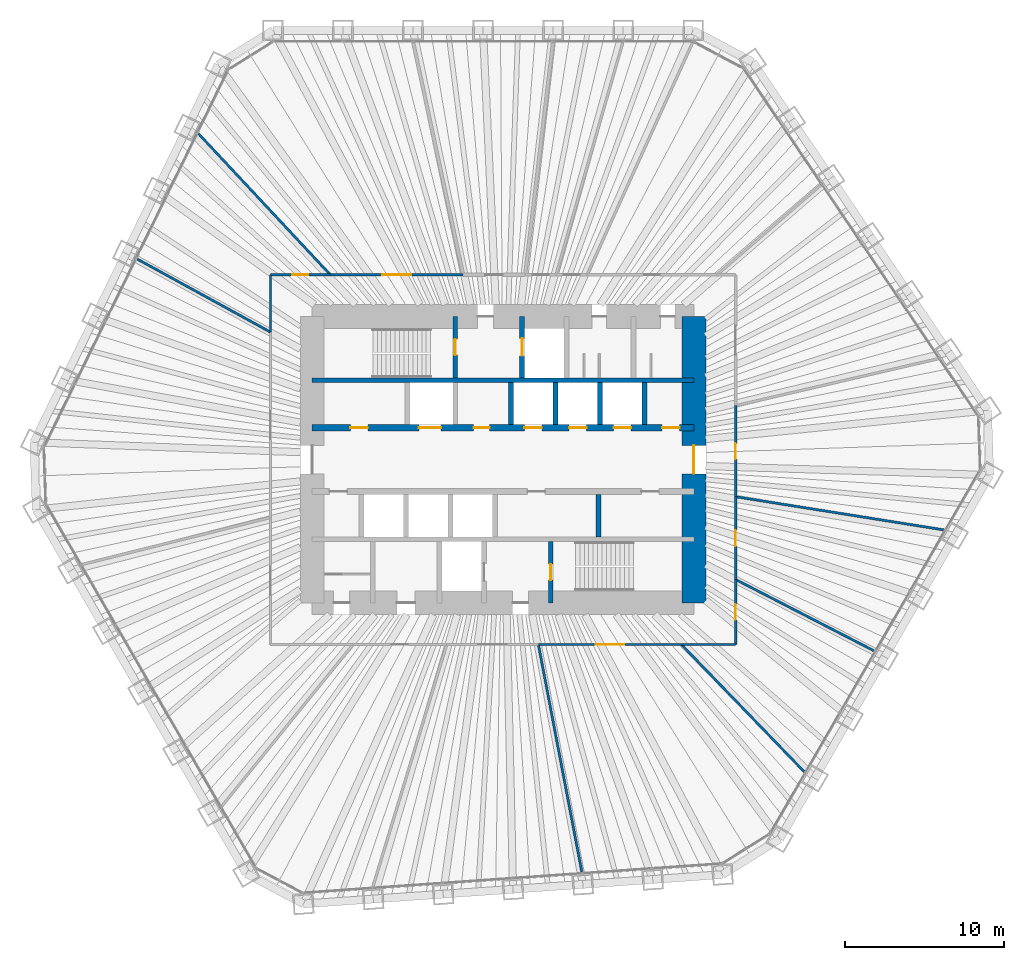
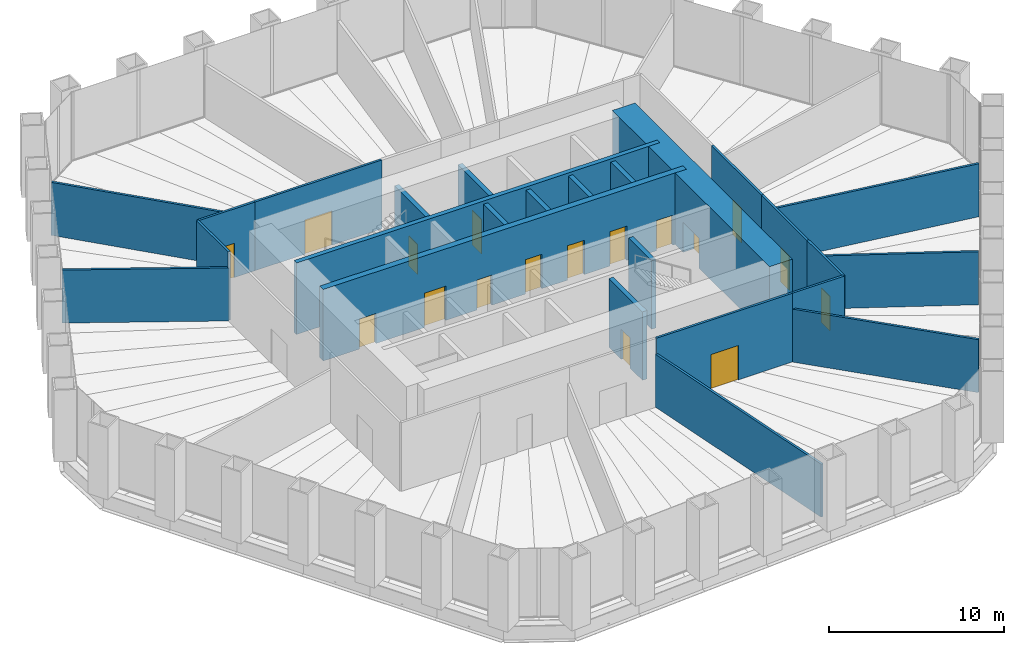
# One storey, part 11 of 13: 25 walls, 17 doors, 17 openings.
"""IFC4 building model written with IfcOpenShell, lengths in metres."""

from ifc_helpers import new_model, si_unit, direction, frame, frame_2d, origin, place, context, subcontext, project, spatial, rectangle, extrude, material, layer, layer_set, type_object, element, fill, save


model = new_model("IFC4")

# Units and contexts
model_context = context("Model", 3, precision=1e-05, world=origin(), true_north=direction((0.0, 1.0)))
body_context = subcontext(model_context, "Body", "Model", "MODEL_VIEW")
ifc_project = project(units=[si_unit("LENGTHUNIT", "METRE"), si_unit("AREAUNIT", "SQUARE_METRE"), si_unit("VOLUMEUNIT", "CUBIC_METRE"), si_unit("PLANEANGLEUNIT", "RADIAN"), si_unit("MASSUNIT", "GRAM", prefix="KILO")], contexts=[model_context])

# Site, building, storey
site_placement = place(None, origin())
site = spatial("IfcSite", under=ifc_project, at=site_placement, CompositionType="ELEMENT")
building_placement = place(site_placement, origin())
building = spatial("IfcBuilding", under=site, at=building_placement, Name="Qingtian Harvest Tower", CompositionType="ELEMENT")
storey_placement = place(building_placement, frame((0.0, 0.0, 72.0)))
storey = spatial("IfcBuildingStorey", under=building, at=storey_placement, Name="L14", CompositionType="ELEMENT", Elevation=72.0)

# Wall
ifc_material_1 = material(Name="Concrete fc' 70 MPa", Category="concrete")
ifc_layer_1 = layer(ifc_material_1, 0.300048828125)
ifc_layer_set_1 = layer_set([ifc_layer_1], Name="Core inner wall RC5 300")
wall_type_1 = type_object("IfcWallType", Name="Core inner wall RC5 300", PredefinedType="SHEAR", material=ifc_layer_set_1)
wall_1_placement = place(storey_placement, frame((-12.0, 5.0, 0.0), z_axis=(0.0, 0.0, 1.0), x_axis=(1.0, 0.0, 0.0)))
element("IfcWall", 1, at=wall_1_placement, inside=storey, type_object=wall_type_1, Name="Core wall IN5 L14", PredefinedType="SHEAR", context=body_context, shape_type="SweptSolid", body=[
    extrude(rectangle(XDim=24.0, YDim=0.300048828125, at=frame_2d((12.0, 0.0))), origin(), (0.0, 0.0, 1.0), 5.0),
])

# Wall, openings, doors
ifc_material_2 = material(Name="Concrete fc' 70 MPa", Category="concrete")
ifc_layer_2 = layer(ifc_material_2, 0.39990234375)
ifc_layer_set_2 = layer_set([ifc_layer_2], Name="Core inner web RC6 400")
wall_type_2 = type_object("IfcWallType", Name="Core inner web RC6 400", PredefinedType="SHEAR", material=ifc_layer_set_2)
wall_2_placement = place(storey_placement, frame((-12.0, 2.0, 0.0), z_axis=(0.0, 0.0, 1.0), x_axis=(1.0, 0.0, 0.0)))
wall_2 = element("IfcWall", 2, at=wall_2_placement, inside=storey, type_object=wall_type_2, Name="Core wall IN2 L14", PredefinedType="SHEAR", context=body_context, shape_type="SweptSolid", body=[
    extrude(rectangle(XDim=24.0, YDim=0.39990234375, at=frame_2d((12.0, 0.0))), origin(), (0.0, 0.0, 1.0), 5.0),
])
opening_1_placement = place(wall_2_placement, frame((2.39990234375, 0.0, 0.0)))
opening_1 = element("IfcOpeningElement", 3, at=opening_1_placement, cuts=wall_2, Name="Opening FD4", PredefinedType="OPENING", context=body_context, shape_type="SweptSolid", body=[
    extrude(rectangle(XDim=1.10009765625, YDim=2.10009765625, at=frame_2d((0.550048828125, 1.050048828125))), frame((0.0, 0.2099609375, 0.0), z_axis=(0.0, -1.0, 0.0), x_axis=(1.0, 0.0, 0.0)), (0.0, 0.0, 1.0), 0.419921875),
])
opening_2_placement = place(wall_2_placement, frame((22.0, 0.0, 0.0)))
opening_2 = element("IfcOpeningElement", 4, at=opening_2_placement, cuts=wall_2, Name="Opening FD4", PredefinedType="OPENING", context=body_context, shape_type="SweptSolid", body=[
    extrude(rectangle(XDim=1.10009765625, YDim=2.10009765625, at=frame_2d((0.550048828125, 1.050048828125))), frame((0.0, 0.2099609375, 0.0), z_axis=(0.0, -1.0, 0.0), x_axis=(1.0, 0.0, 0.0)), (0.0, 0.0, 1.0), 0.419921875),
])
opening_3_placement = place(wall_2_placement, frame((10.14990234375, 0.0, 0.0)))
opening_3 = element("IfcOpeningElement", 5, at=opening_3_placement, cuts=wall_2, Name="Opening FD1", PredefinedType="OPENING", context=body_context, shape_type="SweptSolid", body=[
    extrude(rectangle(XDim=1.0, YDim=2.10009765625, at=frame_2d((0.5, 1.050048828125))), frame((0.0, 0.2099609375, 0.0), z_axis=(0.0, -1.0, 0.0), x_axis=(1.0, 0.0, 0.0)), (0.0, 0.0, 1.0), 0.419921875),
])
opening_4_placement = place(wall_2_placement, frame((6.699951171875, 0.0, 0.0)))
opening_4 = element("IfcOpeningElement", 6, at=opening_4_placement, cuts=wall_2, Name="Opening LD2", PredefinedType="OPENING", context=body_context, shape_type="SweptSolid", body=[
    extrude(rectangle(XDim=1.39990234375, YDim=2.39990234375, at=frame_2d((0.699951171875, 1.199951171875))), frame((0.0, 0.2099609375, 0.0), z_axis=(0.0, -1.0, 0.0), x_axis=(1.0, 0.0, 0.0)), (0.0, 0.0, 1.0), 0.419921875),
])
opening_5_placement = place(wall_2_placement, frame((13.35009765625, 0.0, 0.0)))
opening_5 = element("IfcOpeningElement", 7, at=opening_5_placement, cuts=wall_2, Name="Opening LD1", PredefinedType="OPENING", context=body_context, shape_type="SweptSolid", body=[
    extrude(rectangle(XDim=1.10009765625, YDim=2.39990234375, at=frame_2d((0.550048828125, 1.199951171875))), frame((0.0, 0.2099609375, 0.0), z_axis=(0.0, -1.0, 0.0), x_axis=(1.0, 0.0, 0.0)), (0.0, 0.0, 1.0), 0.419921875),
])
opening_6_placement = place(wall_2_placement, frame((16.14990234375, 0.0, 0.0)))
opening_6 = element("IfcOpeningElement", 8, at=opening_6_placement, cuts=wall_2, Name="Opening LD1", PredefinedType="OPENING", context=body_context, shape_type="SweptSolid", body=[
    extrude(rectangle(XDim=1.10009765625, YDim=2.39990234375, at=frame_2d((0.550048828125, 1.199951171875))), frame((0.0, 0.2099609375, 0.0), z_axis=(0.0, -1.0, 0.0), x_axis=(1.0, 0.0, 0.0)), (0.0, 0.0, 1.0), 0.419921875),
])
opening_7_placement = place(wall_2_placement, frame((18.949951171875, 0.0, 0.0)))
opening_7 = element("IfcOpeningElement", 9, at=opening_7_placement, cuts=wall_2, Name="Opening LD1", PredefinedType="OPENING", context=body_context, shape_type="SweptSolid", body=[
    extrude(rectangle(XDim=1.10009765625, YDim=2.39990234375, at=frame_2d((0.550048828125, 1.199951171875))), frame((0.0, 0.2099609375, 0.0), z_axis=(0.0, -1.0, 0.0), x_axis=(1.0, 0.0, 0.0)), (0.0, 0.0, 1.0), 0.419921875),
])
ifc_material_3 = material(Name="Steel-faced door leaf", Category="steel")
door_type_1 = type_object("IfcDoorType", Name="Fire door FD1 single 1 HR", OperationType="SINGLE_SWING_LEFT", PredefinedType="DOOR", material=ifc_material_3)
door_1_placement = place(opening_3_placement, origin())
door_1 = element("IfcDoor", 10, at=door_1_placement, inside=storey, type_object=door_type_1, Name="STA door L14", OperationType="SINGLE_SWING_LEFT", OverallHeight=2.10009765625, OverallWidth=1.0, PredefinedType="DOOR", context=body_context, shape_type="SweptSolid", body=[
    extrude(rectangle(XDim=1.0, YDim=2.10009765625, at=frame_2d((0.5, 1.050048828125))), frame((0.0, 0.02490234375, 0.0), z_axis=(0.0, -1.0, 0.0), x_axis=(1.0, 0.0, 0.0)), (0.0, 0.0, 1.0), 0.050048828125),
])
fill(opening_3, door_1)
ifc_material_4 = material(Name="Steel-faced door leaf", Category="steel")
door_type_2 = type_object("IfcDoorType", Name="Fire door FD4 single 2 HR", OperationType="SINGLE_SWING_LEFT", PredefinedType="DOOR", material=ifc_material_4)
door_2_placement = place(opening_1_placement, origin())
door_2 = element("IfcDoor", 11, at=door_2_placement, inside=storey, type_object=door_type_2, Name="RA door L14", OperationType="SINGLE_SWING_LEFT", OverallHeight=2.10009765625, OverallWidth=1.10009765625, PredefinedType="DOOR", context=body_context, shape_type="SweptSolid", body=[
    extrude(rectangle(XDim=1.10009765625, YDim=2.10009765625, at=frame_2d((0.550048828125, 1.050048828125))), frame((0.0, 0.02490234375, 0.0), z_axis=(0.0, -1.0, 0.0), x_axis=(1.0, 0.0, 0.0)), (0.0, 0.0, 1.0), 0.050048828125),
])
fill(opening_1, door_2)
door_3_placement = place(opening_2_placement, origin())
door_3 = element("IfcDoor", 12, at=door_3_placement, inside=storey, type_object=door_type_2, Name="AHU door L14", OperationType="SINGLE_SWING_RIGHT", OverallHeight=2.10009765625, OverallWidth=1.10009765625, PredefinedType="DOOR", context=body_context, shape_type="SweptSolid", body=[
    extrude(rectangle(XDim=1.10009765625, YDim=2.10009765625, at=frame_2d((0.550048828125, 1.050048828125))), frame((0.0, 0.02490234375, 0.0), z_axis=(0.0, -1.0, 0.0), x_axis=(1.0, 0.0, 0.0)), (0.0, 0.0, 1.0), 0.050048828125),
])
fill(opening_2, door_3)
ifc_material_5 = material(Name="Stainless steel lift landing door", Category="steel")
door_type_3 = type_object("IfcDoorType", Name="Goods lift landing door LD2 1 HR", OperationType="DOUBLE_DOOR_SLIDING", PredefinedType="DOOR", material=ifc_material_5)
door_4_placement = place(opening_4_placement, origin())
door_4 = element("IfcDoor", 13, at=door_4_placement, inside=storey, type_object=door_type_3, Name="GL1 landing door L14", OperationType="DOUBLE_DOOR_SLIDING", OverallHeight=2.39990234375, OverallWidth=1.39990234375, PredefinedType="DOOR", context=body_context, shape_type="SweptSolid", body=[
    extrude(rectangle(XDim=1.39990234375, YDim=2.39990234375, at=frame_2d((0.699951171875, 1.199951171875))), frame((0.0, 0.02490234375, 0.0), z_axis=(0.0, -1.0, 0.0), x_axis=(1.0, 0.0, 0.0)), (0.0, 0.0, 1.0), 0.050048828125),
])
fill(opening_4, door_4)
ifc_material_6 = material(Name="Stainless steel lift landing door", Category="steel")
door_type_4 = type_object("IfcDoorType", Name="Lift landing door LD1 1 HR", OperationType="DOUBLE_DOOR_SLIDING", PredefinedType="DOOR", material=ifc_material_6)
door_5_placement = place(opening_5_placement, origin())
door_5 = element("IfcDoor", 14, at=door_5_placement, inside=storey, type_object=door_type_4, Name="PLA1 landing door L14", OperationType="DOUBLE_DOOR_SLIDING", OverallHeight=2.39990234375, OverallWidth=1.10009765625, PredefinedType="DOOR", context=body_context, shape_type="SweptSolid", body=[
    extrude(rectangle(XDim=1.10009765625, YDim=2.39990234375, at=frame_2d((0.550048828125, 1.199951171875))), frame((0.0, 0.02490234375, 0.0), z_axis=(0.0, -1.0, 0.0), x_axis=(1.0, 0.0, 0.0)), (0.0, 0.0, 1.0), 0.050048828125),
])
fill(opening_5, door_5)
door_6_placement = place(opening_6_placement, origin())
door_6 = element("IfcDoor", 15, at=door_6_placement, inside=storey, type_object=door_type_4, Name="PLA2 landing door L14", OperationType="DOUBLE_DOOR_SLIDING", OverallHeight=2.39990234375, OverallWidth=1.10009765625, PredefinedType="DOOR", context=body_context, shape_type="SweptSolid", body=[
    extrude(rectangle(XDim=1.10009765625, YDim=2.39990234375, at=frame_2d((0.550048828125, 1.199951171875))), frame((0.0, 0.02490234375, 0.0), z_axis=(0.0, -1.0, 0.0), x_axis=(1.0, 0.0, 0.0)), (0.0, 0.0, 1.0), 0.050048828125),
])
fill(opening_6, door_6)
door_7_placement = place(opening_7_placement, origin())
door_7 = element("IfcDoor", 16, at=door_7_placement, inside=storey, type_object=door_type_4, Name="PLA3 landing door L14", OperationType="DOUBLE_DOOR_SLIDING", OverallHeight=2.39990234375, OverallWidth=1.10009765625, PredefinedType="DOOR", context=body_context, shape_type="SweptSolid", body=[
    extrude(rectangle(XDim=1.10009765625, YDim=2.39990234375, at=frame_2d((0.550048828125, 1.199951171875))), frame((0.0, 0.02490234375, 0.0), z_axis=(0.0, -1.0, 0.0), x_axis=(1.0, 0.0, 0.0)), (0.0, 0.0, 1.0), 0.050048828125),
])
fill(opening_7, door_7)

# Wall, opening, door
ifc_material_7 = material(Name="Precast concrete shaft panel", Category="concrete")
ifc_layer_3 = layer(ifc_material_7, 0.300048828125)
ifc_layer_set_3 = layer_set([ifc_layer_3], Name="Core shaft partition SW1 300")
wall_type_3 = type_object("IfcWallType", Name="Core shaft partition SW1 300", PredefinedType="PARTITIONING", material=ifc_layer_set_3)
wall_3_placement = place(storey_placement, frame((-3.0, 5.14990234375, 0.0), z_axis=(0.0, 0.0, 1.0), x_axis=(0.0, 1.0, 0.0)))
wall_3 = element("IfcWall", 17, at=wall_3_placement, inside=storey, type_object=wall_type_3, Name="Core shaft partition XN1 L14", PredefinedType="PARTITIONING", context=body_context, shape_type="SweptSolid", body=[
    extrude(rectangle(XDim=3.85009765625, YDim=0.300048828125, at=frame_2d((1.925048828125, 0.0))), origin(), (0.0, 0.0, 1.0), 4.780029296875),
])
opening_8_placement = place(wall_3_placement, frame((1.425048828125, 0.0, 0.0)))
opening_8 = element("IfcOpeningElement", 18, at=opening_8_placement, cuts=wall_3, Name="Opening FD1", PredefinedType="OPENING", context=body_context, shape_type="SweptSolid", body=[
    extrude(rectangle(XDim=1.0, YDim=2.10009765625, at=frame_2d((0.5, 1.050048828125))), frame((0.0, 0.159912109375, 0.0), z_axis=(0.0, -1.0, 0.0), x_axis=(1.0, 0.0, 0.0)), (0.0, 0.0, 1.0), 0.320068359375),
])
door_8_placement = place(opening_8_placement, origin())
door_8 = element("IfcDoor", 19, at=door_8_placement, inside=storey, type_object=door_type_1, Name="S1 door L14", OperationType="SINGLE_SWING_RIGHT", OverallHeight=2.10009765625, OverallWidth=1.0, PredefinedType="DOOR", context=body_context, shape_type="SweptSolid", body=[
    extrude(rectangle(XDim=1.0, YDim=2.10009765625, at=frame_2d((0.5, 1.050048828125))), frame((0.0, 0.02490234375, 0.0), z_axis=(0.0, -1.0, 0.0), x_axis=(1.0, 0.0, 0.0)), (0.0, 0.0, 1.0), 0.050048828125),
])
fill(opening_8, door_8)

wall_4_placement = place(storey_placement, frame((1.199951171875, 5.14990234375, 0.0), z_axis=(0.0, 0.0, 1.0), x_axis=(0.0, 1.0, 0.0)))
wall_4 = element("IfcWall", 20, at=wall_4_placement, inside=storey, type_object=wall_type_3, Name="Core shaft partition XN2 L14", PredefinedType="PARTITIONING", context=body_context, shape_type="SweptSolid", body=[
    extrude(rectangle(XDim=3.85009765625, YDim=0.300048828125, at=frame_2d((1.925048828125, 0.0))), origin(), (0.0, 0.0, 1.0), 4.780029296875),
])
opening_9_placement = place(wall_4_placement, frame((1.375, 0.0, 0.0)))
opening_9 = element("IfcOpeningElement", 21, at=opening_9_placement, cuts=wall_4, Name="Opening LD1", PredefinedType="OPENING", context=body_context, shape_type="SweptSolid", body=[
    extrude(rectangle(XDim=1.10009765625, YDim=2.39990234375, at=frame_2d((0.550048828125, 1.199951171875))), frame((0.0, 0.159912109375, 0.0), z_axis=(0.0, -1.0, 0.0), x_axis=(1.0, 0.0, 0.0)), (0.0, 0.0, 1.0), 0.320068359375),
])
door_9_placement = place(opening_9_placement, origin())
door_9 = element("IfcDoor", 22, at=door_9_placement, inside=storey, type_object=door_type_4, Name="FL1 landing door L14", OperationType="DOUBLE_DOOR_SLIDING", OverallHeight=2.39990234375, OverallWidth=1.10009765625, PredefinedType="DOOR", context=body_context, shape_type="SweptSolid", body=[
    extrude(rectangle(XDim=1.10009765625, YDim=2.39990234375, at=frame_2d((0.550048828125, 1.199951171875))), frame((0.0, 0.02490234375, 0.0), z_axis=(0.0, -1.0, 0.0), x_axis=(1.0, 0.0, 0.0)), (0.0, 0.0, 1.0), 0.050048828125),
])
fill(opening_9, door_9)

# Walls
for number, where, z_axis, x_axis, name in (
    (23, (0.5, 2.199951171875, 0.0), (0.0, 0.0, 1.0), (0.0, 1.0, 0.0), "Core shaft partition XA3 L14"),
    (24, (3.300048828125, 2.199951171875, 0.0), (0.0, 0.0, 1.0), (0.0, 1.0, 0.0), "Core shaft partition XA4 L14"),
    (25, (6.10009765625, 2.199951171875, 0.0), (0.0, 0.0, 1.0), (0.0, 1.0, 0.0), "Core shaft partition XA5 L14"),
    (26, (8.89990234375, 2.199951171875, 0.0), (0.0, 0.0, 1.0), (0.0, 1.0, 0.0), "Core shaft partition XA6 L14"),
    (27, (6.0, -4.85009765625, 0.0), (0.0, 0.0, 1.0), (0.0, 1.0, 0.0), "Core shaft partition XB5 L14"),
):
    element("IfcWall", number, at=place(storey_placement, frame(where, z_axis=z_axis, x_axis=x_axis)), inside=storey, type_object=wall_type_3, Name=name, PredefinedType="PARTITIONING", context=body_context, shape_type="SweptSolid", body=[
        extrude(rectangle(XDim=2.650146484375, YDim=0.300048828125, at=frame_2d((1.3251953125, 0.0))), origin(), (0.0, 0.0, 1.0), 4.780029296875),
    ])

# Wall, opening, door
wall_5_placement = place(storey_placement, frame((3.0, -9.0, 0.0), z_axis=(0.0, 0.0, 1.0), x_axis=(0.0, 1.0, 0.0)))
wall_5 = element("IfcWall", 28, at=wall_5_placement, inside=storey, type_object=wall_type_3, Name="Core shaft partition XS4 L14", PredefinedType="PARTITIONING", context=body_context, shape_type="SweptSolid", body=[
    extrude(rectangle(XDim=3.85009765625, YDim=0.300048828125, at=frame_2d((1.925048828125, 0.0))), origin(), (0.0, 0.0, 1.0), 4.780029296875),
])
opening_10_placement = place(wall_5_placement, frame((1.425048828125, 0.0, 0.0)))
opening_10 = element("IfcOpeningElement", 29, at=opening_10_placement, cuts=wall_5, Name="Opening FD1", PredefinedType="OPENING", context=body_context, shape_type="SweptSolid", body=[
    extrude(rectangle(XDim=1.0, YDim=2.10009765625, at=frame_2d((0.5, 1.050048828125))), frame((0.0, 0.159912109375, 0.0), z_axis=(0.0, -1.0, 0.0), x_axis=(1.0, 0.0, 0.0)), (0.0, 0.0, 1.0), 0.320068359375),
])
door_10_placement = place(opening_10_placement, origin())
door_10 = element("IfcDoor", 30, at=door_10_placement, inside=storey, type_object=door_type_1, Name="S2 door L14", OperationType="SINGLE_SWING_LEFT", OverallHeight=2.10009765625, OverallWidth=1.0, PredefinedType="DOOR", context=body_context, shape_type="SweptSolid", body=[
    extrude(rectangle(XDim=1.0, YDim=2.10009765625, at=frame_2d((0.5, 1.050048828125))), frame((0.0, 0.02490234375, 0.0), z_axis=(0.0, -1.0, 0.0), x_axis=(1.0, 0.0, 0.0)), (0.0, 0.0, 1.0), 0.050048828125),
])
fill(opening_10, door_10)

ifc_material_8 = material(Name="Concrete fc' 70 MPa", Category="concrete")
ifc_layer_4 = layer(ifc_material_8, 1.5)
ifc_layer_set_4 = layer_set([ifc_layer_4], Name="Core wall RC1 1500")
wall_type_4 = type_object("IfcWallType", Name="Core wall RC1 1500", PredefinedType="SHEAR", material=ifc_layer_set_4)
wall_6_placement = place(storey_placement, frame((12.0, -9.0, 0.0), z_axis=(0.0, 0.0, 1.0), x_axis=(0.0, 1.0, 0.0)))
wall_6 = element("IfcWall", 31, at=wall_6_placement, inside=storey, type_object=wall_type_4, Name="Core wall CE L14", PredefinedType="SHEAR", context=body_context, shape_type="SweptSolid", body=[
    extrude(rectangle(XDim=18.0, YDim=1.5, at=frame_2d((9.0, 0.0))), origin(), (0.0, 0.0, 1.0), 5.0),
])
opening_11_placement = place(wall_6_placement, frame((8.10009765625, 0.0, 0.0)))
opening_11 = element("IfcOpeningElement", 32, at=opening_11_placement, cuts=wall_6, Name="Opening FD2", PredefinedType="OPENING", context=body_context, shape_type="SweptSolid", body=[
    extrude(rectangle(XDim=1.800048828125, YDim=2.10009765625, at=frame_2d((0.89990234375, 1.050048828125))), frame((0.0, 0.760009765625, 0.0), z_axis=(0.0, -1.0, 0.0), x_axis=(1.0, 0.0, 0.0)), (0.0, 0.0, 1.0), 1.52001953125),
])
ifc_material_9 = material(Name="Steel-faced door leaf", Category="steel")
door_type_5 = type_object("IfcDoorType", Name="Fire door FD2 double 1 HR", OperationType="DOUBLE_DOOR_DOUBLE_SWING", PredefinedType="DOOR", material=ifc_material_9)
door_11_placement = place(opening_11_placement, origin())
door_11 = element("IfcDoor", 33, at=door_11_placement, inside=storey, type_object=door_type_5, Name="LOBBY-E door L14", OperationType="DOUBLE_DOOR_DOUBLE_SWING", OverallHeight=2.10009765625, OverallWidth=1.800048828125, PredefinedType="DOOR", context=body_context, shape_type="SweptSolid", body=[
    extrude(rectangle(XDim=1.800048828125, YDim=2.10009765625, at=frame_2d((0.89990234375, 1.050048828125))), frame((0.0, 0.02490234375, 0.0), z_axis=(0.0, -1.0, 0.0), x_axis=(1.0, 0.0, 0.0)), (0.0, 0.0, 1.0), 0.050048828125),
])
fill(opening_11, door_11)

# Wall
ifc_material_10 = material(Name="Gypsum board on steel studs", Category="steel")
ifc_layer_5 = layer(ifc_material_10, 0.14990234375)
ifc_layer_set_5 = layer_set([ifc_layer_5], Name="Partition PT1 150")
wall_type_5 = type_object("IfcWallType", Name="Partition PT1 150", PredefinedType="PARTITIONING", material=ifc_layer_set_5)
wall_7_placement = place(storey_placement, frame((18.93115234375, -19.617919921875, 0.0), z_axis=(0.0, 0.0, 1.0), x_axis=(-0.694400324326, 0.719588903178, 0.0)))
element("IfcWall", 34, at=wall_7_placement, inside=storey, type_object=wall_type_5, Name="Tomato growing room wall L14", PredefinedType="PARTITIONING", context=body_context, shape_type="SweptSolid", body=[
    extrude(rectangle(XDim=11.107666015625, YDim=0.14990234375, at=frame_2d((5.5537109375, 0.0))), origin(), (0.0, 0.0, 1.0), 3.699951171875),
])

# Wall, opening, door
wall_8_placement = place(storey_placement, frame((11.218017578125, -11.625, 0.0), z_axis=(0.0, 0.0, 1.0), x_axis=(-1.0, 0.0, 0.0)))
wall_8 = element("IfcWall", 35, at=wall_8_placement, inside=storey, type_object=wall_type_5, Name="Tomato growing room wall L14", PredefinedType="PARTITIONING", context=body_context, shape_type="SweptSolid", body=[
    extrude(rectangle(XDim=8.99560546875, YDim=0.14990234375, at=frame_2d((4.497802734375, 0.0))), origin(), (0.0, 0.0, 1.0), 4.800048828125),
])
opening_12_placement = place(wall_8_placement, frame((3.597900390625, 0.0, 0.0)))
opening_12 = element("IfcOpeningElement", 36, at=opening_12_placement, cuts=wall_8, Name="Opening D3", PredefinedType="OPENING", context=body_context, shape_type="SweptSolid", body=[
    extrude(rectangle(XDim=1.800048828125, YDim=2.39990234375, at=frame_2d((0.89990234375, 1.199951171875))), frame((0.0, 0.0849609375, 0.0), z_axis=(0.0, -1.0, 0.0), x_axis=(1.0, 0.0, 0.0)), (0.0, 0.0, 1.0), 0.169921875),
])
ifc_material_11 = material(Name="Laminated timber door leaf", Category="wood")
door_type_6 = type_object("IfcDoorType", Name="Room door D3 double", OperationType="DOUBLE_DOOR_DOUBLE_SWING", PredefinedType="DOOR", material=ifc_material_11)
door_12_placement = place(opening_12_placement, origin())
door_12 = element("IfcDoor", 37, at=door_12_placement, inside=storey, type_object=door_type_6, Name="Tomato growing room door L14", OperationType="DOUBLE_DOOR_DOUBLE_SWING", OverallHeight=2.39990234375, OverallWidth=1.800048828125, PredefinedType="DOOR", context=body_context, shape_type="SweptSolid", body=[
    extrude(rectangle(XDim=1.800048828125, YDim=2.39990234375, at=frame_2d((0.89990234375, 1.199951171875))), frame((0.0, 0.02490234375, 0.0), z_axis=(0.0, -1.0, 0.0), x_axis=(1.0, 0.0, 0.0)), (0.0, 0.0, 1.0), 0.050048828125),
])
fill(opening_12, door_12)

# Walls
wall_9_placement = place(storey_placement, frame((4.955078125, -25.918212890625, 0.0), z_axis=(0.0, 0.0, 1.0), x_axis=(-0.187785090129, 0.98221014041, 0.0)))
element("IfcWall", 38, at=wall_9_placement, inside=storey, type_object=wall_type_5, Name="Strawberry growing room wall L14", PredefinedType="PARTITIONING", context=body_context, shape_type="SweptSolid", body=[
    extrude(rectangle(XDim=14.552001953125, YDim=0.14990234375, at=frame_2d((7.27587890625, 0.0))), origin(), (0.0, 0.0, 1.0), 3.699951171875),
])
wall_10_placement = place(storey_placement, frame((-22.999267578125, 12.611572265625, 0.0), z_axis=(0.0, 0.0, 1.0), x_axis=(0.876825619135, -0.480808520752, 0.0)))
element("IfcWall", 39, at=wall_10_placement, inside=storey, type_object=wall_type_5, Name="Seedling nursery wall L14", PredefinedType="PARTITIONING", context=body_context, shape_type="SweptSolid", body=[
    extrude(rectangle(XDim=9.55078125, YDim=0.14990234375, at=frame_2d((4.775390625, 0.0))), origin(), (0.0, 0.0, 1.0), 3.699951171875),
])
wall_11_placement = place(storey_placement, frame((-14.625, 8.01953125, 0.0), z_axis=(0.0, 0.0, 1.0), x_axis=(0.0, 1.0, 0.0)))
element("IfcWall", 40, at=wall_11_placement, inside=storey, type_object=wall_type_5, Name="Seedling nursery wall L14", PredefinedType="PARTITIONING", context=body_context, shape_type="SweptSolid", body=[
    extrude(rectangle(XDim=3.60546875, YDim=0.14990234375, at=frame_2d((1.802734375, 0.0))), origin(), (0.0, 0.0, 1.0), 4.800048828125),
])

# Wall, opening, door
wall_12_placement = place(storey_placement, frame((-14.625, 11.625, 0.0), z_axis=(0.0, 0.0, 1.0), x_axis=(1.0, 0.0, 0.0)))
wall_12 = element("IfcWall", 41, at=wall_12_placement, inside=storey, type_object=wall_type_5, Name="Seedling nursery wall L14", PredefinedType="PARTITIONING", context=body_context, shape_type="SweptSolid", body=[
    extrude(rectangle(XDim=3.763671875, YDim=0.14990234375, at=frame_2d((1.8818359375, 0.0))), origin(), (0.0, 0.0, 1.0), 4.800048828125),
])
opening_13_placement = place(wall_12_placement, frame((1.3818359375, 0.0, 0.0)))
opening_13 = element("IfcOpeningElement", 42, at=opening_13_placement, cuts=wall_12, Name="Opening D2", PredefinedType="OPENING", context=body_context, shape_type="SweptSolid", body=[
    extrude(rectangle(XDim=1.0, YDim=2.39990234375, at=frame_2d((0.5, 1.199951171875))), frame((0.0, 0.0849609375, 0.0), z_axis=(0.0, -1.0, 0.0), x_axis=(1.0, 0.0, 0.0)), (0.0, 0.0, 1.0), 0.169921875),
])
ifc_material_12 = material(Name="Laminated timber door leaf", Category="wood")
door_type_7 = type_object("IfcDoorType", Name="Room door D2 single", OperationType="SINGLE_SWING_LEFT", PredefinedType="DOOR", material=ifc_material_12)
door_13_placement = place(opening_13_placement, origin())
door_13 = element("IfcDoor", 43, at=door_13_placement, inside=storey, type_object=door_type_7, Name="Seedling nursery door L14", OperationType="SINGLE_SWING_RIGHT", OverallHeight=2.39990234375, OverallWidth=1.0, PredefinedType="DOOR", context=body_context, shape_type="SweptSolid", body=[
    extrude(rectangle(XDim=1.0, YDim=2.39990234375, at=frame_2d((0.5, 1.199951171875))), frame((0.0, 0.02490234375, 0.0), z_axis=(0.0, -1.0, 0.0), x_axis=(1.0, 0.0, 0.0)), (0.0, 0.0, 1.0), 0.050048828125),
])
fill(opening_13, door_13)

# Wall
wall_13_placement = place(storey_placement, frame((-19.156982421875, 20.504150390625, 0.0), z_axis=(0.0, 0.0, 1.0), x_axis=(0.682689688298, -0.73070841619, 0.0)))
element("IfcWall", 44, at=wall_13_placement, inside=storey, type_object=wall_type_5, Name="Fruit ripening room wall L14", PredefinedType="PARTITIONING", context=body_context, shape_type="SweptSolid", body=[
    extrude(rectangle(XDim=12.1513671875, YDim=0.14990234375, at=frame_2d((6.07568359375, 0.0))), origin(), (0.0, 0.0, 1.0), 3.699951171875),
])

# Wall, opening, door
wall_14_placement = place(storey_placement, frame((-10.861328125, 11.625, 0.0), z_axis=(0.0, 0.0, 1.0), x_axis=(1.0, 0.0, 0.0)))
wall_14 = element("IfcWall", 45, at=wall_14_placement, inside=storey, type_object=wall_type_5, Name="Fruit ripening room wall L14", PredefinedType="PARTITIONING", context=body_context, shape_type="SweptSolid", body=[
    extrude(rectangle(XDim=8.358642578125, YDim=0.14990234375, at=frame_2d((4.17919921875, 0.0))), origin(), (0.0, 0.0, 1.0), 4.800048828125),
])
opening_14_placement = place(wall_14_placement, frame((3.279296875, 0.0, 0.0)))
opening_14 = element("IfcOpeningElement", 46, at=opening_14_placement, cuts=wall_14, Name="Opening D3", PredefinedType="OPENING", context=body_context, shape_type="SweptSolid", body=[
    extrude(rectangle(XDim=1.800048828125, YDim=2.39990234375, at=frame_2d((0.89990234375, 1.199951171875))), frame((0.0, 0.0849609375, 0.0), z_axis=(0.0, -1.0, 0.0), x_axis=(1.0, 0.0, 0.0)), (0.0, 0.0, 1.0), 0.169921875),
])
door_14_placement = place(opening_14_placement, origin())
door_14 = element("IfcDoor", 47, at=door_14_placement, inside=storey, type_object=door_type_6, Name="Fruit ripening room door L14", OperationType="DOUBLE_DOOR_DOUBLE_SWING", OverallHeight=2.39990234375, OverallWidth=1.800048828125, PredefinedType="DOOR", context=body_context, shape_type="SweptSolid", body=[
    extrude(rectangle(XDim=1.800048828125, YDim=2.39990234375, at=frame_2d((0.89990234375, 1.199951171875))), frame((0.0, 0.02490234375, 0.0), z_axis=(0.0, -1.0, 0.0), x_axis=(1.0, 0.0, 0.0)), (0.0, 0.0, 1.0), 0.050048828125),
])
fill(opening_14, door_14)

wall_15_placement = place(storey_placement, frame((14.625, 3.39111328125, 0.0), z_axis=(0.0, 0.0, 1.0), x_axis=(0.0, -1.0, 0.0)))
wall_15 = element("IfcWall", 48, at=wall_15_placement, inside=storey, type_object=wall_type_5, Name="Seedling nursery wall L14", PredefinedType="PARTITIONING", context=body_context, shape_type="SweptSolid", body=[
    extrude(rectangle(XDim=5.7216796875, YDim=0.14990234375, at=frame_2d((2.86083984375, 0.0))), origin(), (0.0, 0.0, 1.0), 4.800048828125),
])
opening_15_placement = place(wall_15_placement, frame((2.36083984375, 0.0, 0.0)))
opening_15 = element("IfcOpeningElement", 49, at=opening_15_placement, cuts=wall_15, Name="Opening D2", PredefinedType="OPENING", context=body_context, shape_type="SweptSolid", body=[
    extrude(rectangle(XDim=1.0, YDim=2.39990234375, at=frame_2d((0.5, 1.199951171875))), frame((0.0, 0.0849609375, 0.0), z_axis=(0.0, -1.0, 0.0), x_axis=(1.0, 0.0, 0.0)), (0.0, 0.0, 1.0), 0.169921875),
])
door_15_placement = place(opening_15_placement, origin())
door_15 = element("IfcDoor", 50, at=door_15_placement, inside=storey, type_object=door_type_7, Name="Seedling nursery door L14", OperationType="SINGLE_SWING_LEFT", OverallHeight=2.39990234375, OverallWidth=1.0, PredefinedType="DOOR", context=body_context, shape_type="SweptSolid", body=[
    extrude(rectangle(XDim=1.0, YDim=2.39990234375, at=frame_2d((0.5, 1.199951171875))), frame((0.0, 0.02490234375, 0.0), z_axis=(0.0, -1.0, 0.0), x_axis=(1.0, 0.0, 0.0)), (0.0, 0.0, 1.0), 0.050048828125),
])
fill(opening_15, door_15)

# Wall
wall_16_placement = place(storey_placement, frame((27.711181640625, -4.416015625, 0.0), z_axis=(0.0, 0.0, 1.0), x_axis=(-0.987538625309, 0.15737682016, 0.0)))
element("IfcWall", 51, at=wall_16_placement, inside=storey, type_object=wall_type_5, Name="Harvest wash room wall L14", PredefinedType="PARTITIONING", context=body_context, shape_type="SweptSolid", body=[
    extrude(rectangle(XDim=13.251220703125, YDim=0.14990234375, at=frame_2d((6.62548828125, 0.0))), origin(), (0.0, 0.0, 1.0), 3.699951171875),
])

# Wall, opening, door
wall_17_placement = place(storey_placement, frame((14.625, -2.33056640625, 0.0), z_axis=(0.0, 0.0, 1.0), x_axis=(0.0, -1.0, 0.0)))
wall_17 = element("IfcWall", 52, at=wall_17_placement, inside=storey, type_object=wall_type_5, Name="Harvest wash room wall L14", PredefinedType="PARTITIONING", context=body_context, shape_type="SweptSolid", body=[
    extrude(rectangle(XDim=5.205810546875, YDim=0.14990234375, at=frame_2d((2.60302734375, 0.0))), origin(), (0.0, 0.0, 1.0), 4.800048828125),
])
opening_16_placement = place(wall_17_placement, frame((2.102783203125, 0.0, 0.0)))
opening_16 = element("IfcOpeningElement", 53, at=opening_16_placement, cuts=wall_17, Name="Opening D2", PredefinedType="OPENING", context=body_context, shape_type="SweptSolid", body=[
    extrude(rectangle(XDim=1.0, YDim=2.39990234375, at=frame_2d((0.5, 1.199951171875))), frame((0.0, 0.0849609375, 0.0), z_axis=(0.0, -1.0, 0.0), x_axis=(1.0, 0.0, 0.0)), (0.0, 0.0, 1.0), 0.169921875),
])
door_16_placement = place(opening_16_placement, origin())
door_16 = element("IfcDoor", 54, at=door_16_placement, inside=storey, type_object=door_type_7, Name="Harvest wash room door L14", OperationType="SINGLE_SWING_LEFT", OverallHeight=2.39990234375, OverallWidth=1.0, PredefinedType="DOOR", context=body_context, shape_type="SweptSolid", body=[
    extrude(rectangle(XDim=1.0, YDim=2.39990234375, at=frame_2d((0.5, 1.199951171875))), frame((0.0, 0.02490234375, 0.0), z_axis=(0.0, -1.0, 0.0), x_axis=(1.0, 0.0, 0.0)), (0.0, 0.0, 1.0), 0.050048828125),
])
fill(opening_16, door_16)

# Wall
wall_18_placement = place(storey_placement, frame((23.31640625, -12.01513671875, 0.0), z_axis=(0.0, 0.0, 1.0), x_axis=(-0.888917561609, 0.458067209767, 0.0)))
element("IfcWall", 55, at=wall_18_placement, inside=storey, type_object=wall_type_5, Name="Pepper growing room wall L14", PredefinedType="PARTITIONING", context=body_context, shape_type="SweptSolid", body=[
    extrude(rectangle(XDim=9.777587890625, YDim=0.14990234375, at=frame_2d((4.888671875, 0.0))), origin(), (0.0, 0.0, 1.0), 3.699951171875),
])

# Wall, opening, door
wall_19_placement = place(storey_placement, frame((14.625, -7.536376953125, 0.0), z_axis=(0.0, 0.0, 1.0), x_axis=(0.0, -1.0, 0.0)))
wall_19 = element("IfcWall", 56, at=wall_19_placement, inside=storey, type_object=wall_type_5, Name="Pepper growing room wall L14", PredefinedType="PARTITIONING", context=body_context, shape_type="SweptSolid", body=[
    extrude(rectangle(XDim=4.088623046875, YDim=0.14990234375, at=frame_2d((2.04443359375, 0.0))), origin(), (0.0, 0.0, 1.0), 4.800048828125),
])
opening_17_placement = place(wall_19_placement, frame((1.54443359375, 0.0, 0.0)))
opening_17 = element("IfcOpeningElement", 57, at=opening_17_placement, cuts=wall_19, Name="Opening D2", PredefinedType="OPENING", context=body_context, shape_type="SweptSolid", body=[
    extrude(rectangle(XDim=1.0, YDim=2.39990234375, at=frame_2d((0.5, 1.199951171875))), frame((0.0, 0.0849609375, 0.0), z_axis=(0.0, -1.0, 0.0), x_axis=(1.0, 0.0, 0.0)), (0.0, 0.0, 1.0), 0.169921875),
])
door_17_placement = place(opening_17_placement, origin())
door_17 = element("IfcDoor", 58, at=door_17_placement, inside=storey, type_object=door_type_7, Name="Pepper growing room door L14", OperationType="SINGLE_SWING_LEFT", OverallHeight=2.39990234375, OverallWidth=1.0, PredefinedType="DOOR", context=body_context, shape_type="SweptSolid", body=[
    extrude(rectangle(XDim=1.0, YDim=2.39990234375, at=frame_2d((0.5, 1.199951171875))), frame((0.0, 0.02490234375, 0.0), z_axis=(0.0, -1.0, 0.0), x_axis=(1.0, 0.0, 0.0)), (0.0, 0.0, 1.0), 0.050048828125),
])
fill(opening_17, door_17)

# Wall
wall_20_placement = place(storey_placement, frame((14.625, -11.625, 0.0), z_axis=(0.0, 0.0, 1.0), x_axis=(-1.0, 0.0, 0.0)))
element("IfcWall", 59, at=wall_20_placement, inside=storey, type_object=wall_type_5, Name="Pepper growing room wall L14", PredefinedType="PARTITIONING", context=body_context, shape_type="SweptSolid", body=[
    extrude(rectangle(XDim=3.406982421875, YDim=0.14990234375, at=frame_2d((1.70361328125, 0.0))), origin(), (0.0, 0.0, 1.0), 4.800048828125),
])

save(model, "model.ifc")
